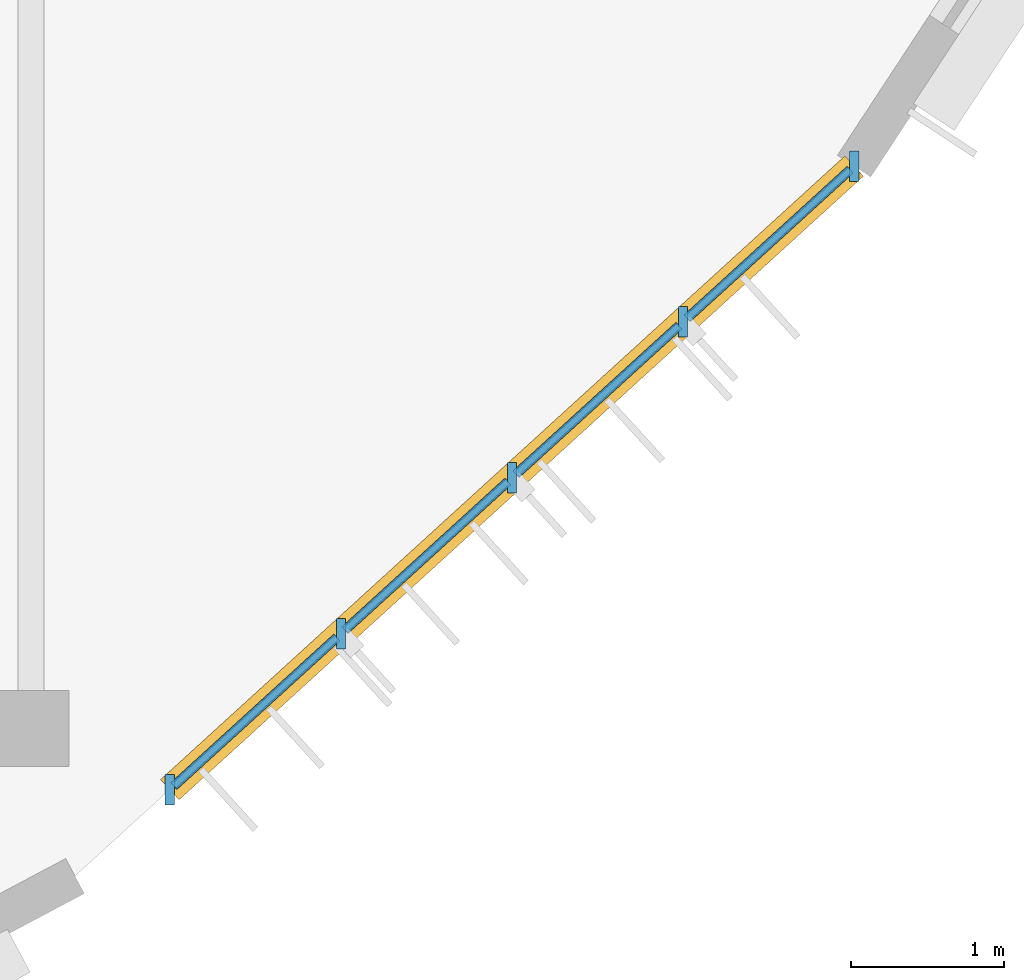
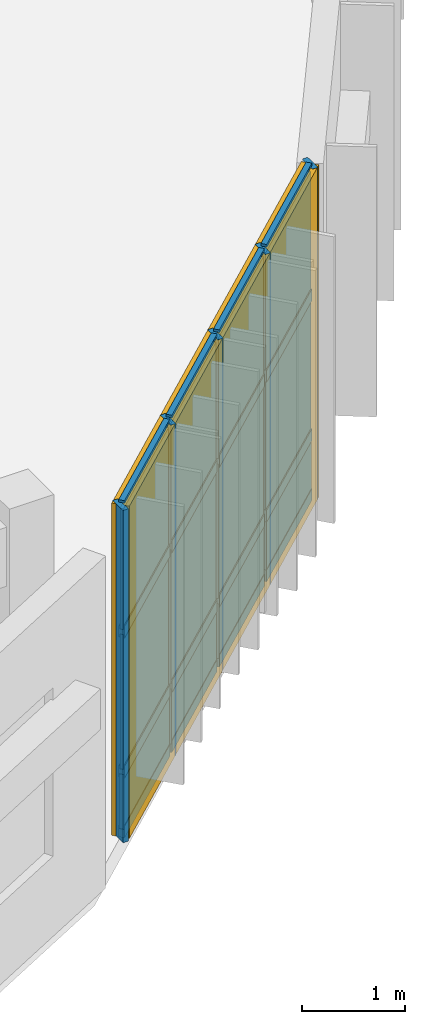
# One storey, part 99 of 122: 21 members, 12 plates, 1 curtain wall.
"""IFC4 building model written with IfcOpenShell, lengths in metres."""

from ifc_helpers import new_model, si_unit, direction, frame, frame_2d, origin, origin_2d, place, context, subcontext, project, spatial, rectangle, extrude, material, layer, layer_set, material_profile, profile_set, type_object, element, aggregate, save


model = new_model("IFC4")

# Units and contexts
model_context = context("Model", 3, precision=1e-05, world=origin(), true_north=direction((0.0, 1.0)))
body_context = subcontext(model_context, "Body", "Model", "MODEL_VIEW")
ifc_project = project(units=[si_unit("LENGTHUNIT", "METRE"), si_unit("AREAUNIT", "SQUARE_METRE"), si_unit("VOLUMEUNIT", "CUBIC_METRE"), si_unit("PLANEANGLEUNIT", "RADIAN"), si_unit("MASSUNIT", "GRAM", prefix="KILO")], contexts=[model_context])

# Member
ifc_material_1 = material(Name="Anodised Bronze Aluminium 6063-T6", Category="aluminium")
ifc_material_profile_1 = material_profile(ifc_material_1, rectangle(XDim=0.06005859375, YDim=0.199951171875, at=origin_2d()), Name="ALU MULLION 60x200")
ifc_profile_set_1 = profile_set([ifc_material_profile_1], Name="Anodised Bronze Aluminium 6063-T6")
member_type_1 = type_object("IfcMemberType", Name="Curtain-Wall Standard Mullion 60x200", PredefinedType="MULLION", material=ifc_profile_set_1)
site_placement = place(None, origin())
building_placement = place(site_placement, origin())
storey_placement = place(building_placement, frame((0.0, 0.0, 4.800048828125)))
member_1_placement = place(storey_placement, frame((151.510986328125, 22.598876953125, 0.0), z_axis=(0.0, 0.0, 1.0), x_axis=(1.0, 0.0, 0.0)))
member_1 = element("IfcMember", 1, at=member_1_placement, type_object=member_type_1, Name="Mullion CWM-03 CW-V4-DRUM-L01-S05-M01", PredefinedType="MULLION", context=body_context, shape_type="SweptSolid", body=[
    extrude(rectangle(XDim=0.06005859375, YDim=0.199951171875, at=origin_2d()), origin(), (0.0, 0.0, 1.0), 3.93994140625),
])

member_2_placement = place(storey_placement, frame((152.632568359375, 23.62109375, 0.0), z_axis=(0.0, 0.0, 1.0), x_axis=(1.0, 0.0, 0.0)))
member_2 = element("IfcMember", 2, at=member_2_placement, type_object=member_type_1, Name="Mullion CWM-03 CW-V4-DRUM-L01-S05-M02", PredefinedType="MULLION", context=body_context, shape_type="SweptSolid", body=[
    extrude(rectangle(XDim=0.06005859375, YDim=0.199951171875, at=origin_2d()), origin(), (0.0, 0.0, 1.0), 3.93994140625),
])

member_3_placement = place(storey_placement, frame((153.754150390625, 24.64306640625, 0.0), z_axis=(0.0, 0.0, 1.0), x_axis=(1.0, 0.0, 0.0)))
member_3 = element("IfcMember", 3, at=member_3_placement, type_object=member_type_1, Name="Mullion CWM-03 CW-V4-DRUM-L01-S05-M03", PredefinedType="MULLION", context=body_context, shape_type="SweptSolid", body=[
    extrude(rectangle(XDim=0.06005859375, YDim=0.199951171875, at=origin_2d()), origin(), (0.0, 0.0, 1.0), 3.93994140625),
])

member_4_placement = place(storey_placement, frame((154.875732421875, 25.665283203125, 0.0), z_axis=(0.0, 0.0, 1.0), x_axis=(1.0, 0.0, 0.0)))
member_4 = element("IfcMember", 4, at=member_4_placement, type_object=member_type_1, Name="Mullion CWM-03 CW-V4-DRUM-L01-S05-M04", PredefinedType="MULLION", context=body_context, shape_type="SweptSolid", body=[
    extrude(rectangle(XDim=0.06005859375, YDim=0.199951171875, at=origin_2d()), origin(), (0.0, 0.0, 1.0), 3.93994140625),
])

member_5_placement = place(storey_placement, frame((155.99755859375, 26.687255859375, 0.0), z_axis=(0.0, 0.0, 1.0), x_axis=(1.0, 0.0, 0.0)))
member_5 = element("IfcMember", 5, at=member_5_placement, type_object=member_type_1, Name="Mullion CWM-03 CW-V4-DRUM-L01-S05-M05", PredefinedType="MULLION", context=body_context, shape_type="SweptSolid", body=[
    extrude(rectangle(XDim=0.06005859375, YDim=0.199951171875, at=origin_2d()), origin(), (0.0, 0.0, 1.0), 3.93994140625),
])

ifc_material_profile_2 = material_profile(ifc_material_1, rectangle(XDim=0.06005859375, YDim=0.139892578125, at=origin_2d()), Name="ALU TRANSOM 60x140")
ifc_profile_set_2 = profile_set([ifc_material_profile_2], Name="Anodised Bronze Aluminium 6063-T6")
member_type_2 = type_object("IfcMemberType", Name="Curtain-Wall Transom 60x140", PredefinedType="USERDEFINED", material=ifc_profile_set_2)
member_6_placement = place(storey_placement, frame((151.536865234375, 22.62255859375, 0.0400390625), z_axis=(0.739153414906, 0.673537103085, 0.0), x_axis=(-0.673537103085, 0.739153414906, 0.0)))
member_6 = element("IfcMember", 6, at=member_6_placement, type_object=member_type_2, Name="Transom CWT-01 CW-V4-DRUM-L01-S05-T01.1", ObjectType="TRANSOM", PredefinedType="USERDEFINED", context=body_context, shape_type="SweptSolid", body=[
    extrude(rectangle(XDim=0.06005859375, YDim=0.139892578125, at=origin_2d()), origin(), (0.0, 0.0, 1.0), 1.447265625),
])

member_7_placement = place(storey_placement, frame((151.536865234375, 22.62255859375, 0.75), z_axis=(0.739153414906, 0.673537103085, 0.0), x_axis=(-0.673537103085, 0.739153414906, 0.0)))
member_7 = element("IfcMember", 7, at=member_7_placement, type_object=member_type_2, Name="Transom CWT-01 CW-V4-DRUM-L01-S05-T01.2", ObjectType="TRANSOM", PredefinedType="USERDEFINED", context=body_context, shape_type="SweptSolid", body=[
    extrude(rectangle(XDim=0.06005859375, YDim=0.139892578125, at=origin_2d()), origin(), (0.0, 0.0, 1.0), 1.447265625),
])

member_8_placement = place(storey_placement, frame((151.536865234375, 22.62255859375, 2.40869140625), z_axis=(0.739153414906, 0.673537103085, 0.0), x_axis=(-0.673537103085, 0.739153414906, 0.0)))
member_8 = element("IfcMember", 8, at=member_8_placement, type_object=member_type_2, Name="Transom CWT-01 CW-V4-DRUM-L01-S05-T01.3", ObjectType="TRANSOM", PredefinedType="USERDEFINED", context=body_context, shape_type="SweptSolid", body=[
    extrude(rectangle(XDim=0.06005859375, YDim=0.139892578125, at=origin_2d()), origin(), (0.0, 0.0, 1.0), 1.447265625),
])

member_9_placement = place(storey_placement, frame((151.536865234375, 22.62255859375, 3.89990234375), z_axis=(0.739153414906, 0.673537103085, 0.0), x_axis=(-0.673537103085, 0.739153414906, 0.0)))
member_9 = element("IfcMember", 9, at=member_9_placement, type_object=member_type_2, Name="Transom CWT-01 CW-V4-DRUM-L01-S05-T01.4", ObjectType="TRANSOM", PredefinedType="USERDEFINED", context=body_context, shape_type="SweptSolid", body=[
    extrude(rectangle(XDim=0.06005859375, YDim=0.139892578125, at=origin_2d()), origin(), (0.0, 0.0, 1.0), 1.447265625),
])

member_10_placement = place(storey_placement, frame((152.658447265625, 23.64453125, 0.0400390625), z_axis=(0.739153414906, 0.673537103085, 0.0), x_axis=(-0.673537103085, 0.739153414906, 0.0)))
member_10 = element("IfcMember", 10, at=member_10_placement, type_object=member_type_2, Name="Transom CWT-01 CW-V4-DRUM-L01-S05-T02.1", ObjectType="TRANSOM", PredefinedType="USERDEFINED", context=body_context, shape_type="SweptSolid", body=[
    extrude(rectangle(XDim=0.06005859375, YDim=0.139892578125, at=origin_2d()), origin(), (0.0, 0.0, 1.0), 1.447265625),
])

member_11_placement = place(storey_placement, frame((152.658447265625, 23.64453125, 0.75), z_axis=(0.739153414906, 0.673537103085, 0.0), x_axis=(-0.673537103085, 0.739153414906, 0.0)))
member_11 = element("IfcMember", 11, at=member_11_placement, type_object=member_type_2, Name="Transom CWT-01 CW-V4-DRUM-L01-S05-T02.2", ObjectType="TRANSOM", PredefinedType="USERDEFINED", context=body_context, shape_type="SweptSolid", body=[
    extrude(rectangle(XDim=0.06005859375, YDim=0.139892578125, at=origin_2d()), origin(), (0.0, 0.0, 1.0), 1.447265625),
])

member_12_placement = place(storey_placement, frame((152.658447265625, 23.64453125, 2.40869140625), z_axis=(0.739153414906, 0.673537103085, 0.0), x_axis=(-0.673537103085, 0.739153414906, 0.0)))
member_12 = element("IfcMember", 12, at=member_12_placement, type_object=member_type_2, Name="Transom CWT-01 CW-V4-DRUM-L01-S05-T02.3", ObjectType="TRANSOM", PredefinedType="USERDEFINED", context=body_context, shape_type="SweptSolid", body=[
    extrude(rectangle(XDim=0.06005859375, YDim=0.139892578125, at=origin_2d()), origin(), (0.0, 0.0, 1.0), 1.447265625),
])

member_13_placement = place(storey_placement, frame((152.658447265625, 23.64453125, 3.89990234375), z_axis=(0.739153414906, 0.673537103085, 0.0), x_axis=(-0.673537103085, 0.739153414906, 0.0)))
member_13 = element("IfcMember", 13, at=member_13_placement, type_object=member_type_2, Name="Transom CWT-01 CW-V4-DRUM-L01-S05-T02.4", ObjectType="TRANSOM", PredefinedType="USERDEFINED", context=body_context, shape_type="SweptSolid", body=[
    extrude(rectangle(XDim=0.06005859375, YDim=0.139892578125, at=origin_2d()), origin(), (0.0, 0.0, 1.0), 1.447265625),
])

member_14_placement = place(storey_placement, frame((153.780029296875, 24.666748046875, 0.0400390625), z_axis=(0.739229922412, 0.673453132601, 0.0), x_axis=(-0.673453132601, 0.739229922412, 0.0)))
member_14 = element("IfcMember", 14, at=member_14_placement, type_object=member_type_2, Name="Transom CWT-01 CW-V4-DRUM-L01-S05-T03.1", ObjectType="TRANSOM", PredefinedType="USERDEFINED", context=body_context, shape_type="SweptSolid", body=[
    extrude(rectangle(XDim=0.06005859375, YDim=0.139892578125, at=origin_2d()), origin(), (0.0, 0.0, 1.0), 1.447509765625),
])

member_15_placement = place(storey_placement, frame((153.780029296875, 24.666748046875, 0.75), z_axis=(0.739229922412, 0.673453132601, 0.0), x_axis=(-0.673453132601, 0.739229922412, 0.0)))
member_15 = element("IfcMember", 15, at=member_15_placement, type_object=member_type_2, Name="Transom CWT-01 CW-V4-DRUM-L01-S05-T03.2", ObjectType="TRANSOM", PredefinedType="USERDEFINED", context=body_context, shape_type="SweptSolid", body=[
    extrude(rectangle(XDim=0.06005859375, YDim=0.139892578125, at=origin_2d()), origin(), (0.0, 0.0, 1.0), 1.447509765625),
])

member_16_placement = place(storey_placement, frame((153.780029296875, 24.666748046875, 2.40869140625), z_axis=(0.739229922412, 0.673453132601, 0.0), x_axis=(-0.673453132601, 0.739229922412, 0.0)))
member_16 = element("IfcMember", 16, at=member_16_placement, type_object=member_type_2, Name="Transom CWT-01 CW-V4-DRUM-L01-S05-T03.3", ObjectType="TRANSOM", PredefinedType="USERDEFINED", context=body_context, shape_type="SweptSolid", body=[
    extrude(rectangle(XDim=0.06005859375, YDim=0.139892578125, at=origin_2d()), origin(), (0.0, 0.0, 1.0), 1.447509765625),
])

member_17_placement = place(storey_placement, frame((153.780029296875, 24.666748046875, 3.89990234375), z_axis=(0.739229922412, 0.673453132601, 0.0), x_axis=(-0.673453132601, 0.739229922412, 0.0)))
member_17 = element("IfcMember", 17, at=member_17_placement, type_object=member_type_2, Name="Transom CWT-01 CW-V4-DRUM-L01-S05-T03.4", ObjectType="TRANSOM", PredefinedType="USERDEFINED", context=body_context, shape_type="SweptSolid", body=[
    extrude(rectangle(XDim=0.06005859375, YDim=0.139892578125, at=origin_2d()), origin(), (0.0, 0.0, 1.0), 1.447509765625),
])

member_18_placement = place(storey_placement, frame((154.901611328125, 25.688720703125, 0.0400390625), z_axis=(0.739145961844, 0.673545282137, 0.0), x_axis=(-0.673545282137, 0.739145961844, 0.0)))
member_18 = element("IfcMember", 18, at=member_18_placement, type_object=member_type_2, Name="Transom CWT-01 CW-V4-DRUM-L01-S05-T04.1", ObjectType="TRANSOM", PredefinedType="USERDEFINED", context=body_context, shape_type="SweptSolid", body=[
    extrude(rectangle(XDim=0.06005859375, YDim=0.139892578125, at=origin_2d()), origin(), (0.0, 0.0, 1.0), 1.44775390625),
])

member_19_placement = place(storey_placement, frame((154.901611328125, 25.688720703125, 0.75), z_axis=(0.739145961844, 0.673545282137, 0.0), x_axis=(-0.673545282137, 0.739145961844, 0.0)))
member_19 = element("IfcMember", 19, at=member_19_placement, type_object=member_type_2, Name="Transom CWT-01 CW-V4-DRUM-L01-S05-T04.2", ObjectType="TRANSOM", PredefinedType="USERDEFINED", context=body_context, shape_type="SweptSolid", body=[
    extrude(rectangle(XDim=0.06005859375, YDim=0.139892578125, at=origin_2d()), origin(), (0.0, 0.0, 1.0), 1.44775390625),
])

member_20_placement = place(storey_placement, frame((154.901611328125, 25.688720703125, 2.40869140625), z_axis=(0.739145961844, 0.673545282137, 0.0), x_axis=(-0.673545282137, 0.739145961844, 0.0)))
member_20 = element("IfcMember", 20, at=member_20_placement, type_object=member_type_2, Name="Transom CWT-01 CW-V4-DRUM-L01-S05-T04.3", ObjectType="TRANSOM", PredefinedType="USERDEFINED", context=body_context, shape_type="SweptSolid", body=[
    extrude(rectangle(XDim=0.06005859375, YDim=0.139892578125, at=origin_2d()), origin(), (0.0, 0.0, 1.0), 1.44775390625),
])

member_21_placement = place(storey_placement, frame((154.901611328125, 25.688720703125, 3.89990234375), z_axis=(0.739145961844, 0.673545282137, 0.0), x_axis=(-0.673545282137, 0.739145961844, 0.0)))
member_21 = element("IfcMember", 21, at=member_21_placement, type_object=member_type_2, Name="Transom CWT-01 CW-V4-DRUM-L01-S05-T04.4", ObjectType="TRANSOM", PredefinedType="USERDEFINED", context=body_context, shape_type="SweptSolid", body=[
    extrude(rectangle(XDim=0.06005859375, YDim=0.139892578125, at=origin_2d()), origin(), (0.0, 0.0, 1.0), 1.44775390625),
])

# Plate
ifc_material_2 = material(Name="Insulated Bronze Aluminium Spandrel Panel", Category="aluminium")
ifc_layer_1 = layer(ifc_material_2, 0.050048828125, Name="Insulated Bronze Aluminium Spandrel Panel")
ifc_layer_set_1 = layer_set([ifc_layer_1], Name="Insulated Bronze Aluminium Spandrel Panel")
plate_type_1 = type_object("IfcPlateType", Name="Insulated Anodised Aluminium Spandrel Cassette 50", PredefinedType="CURTAIN_PANEL", material=ifc_layer_set_1)
plate_1_placement = place(storey_placement, frame((152.07177734375, 23.110107421875, 0.070068359375), z_axis=(0.0, 0.0, 1.0), x_axis=(0.739146956888, 0.673544190178, 0.0)))
plate_1 = element("IfcPlate", 22, at=plate_1_placement, type_object=plate_type_1, Name="Curtain Panel CWP-03 CW-V4-DRUM-L01-S05-P01.1", PredefinedType="CURTAIN_PANEL", context=body_context, shape_type="SweptSolid", body=[
    extrude(rectangle(XDim=1.447509765625, YDim=0.050048828125, at=origin_2d()), origin(), (0.0, 0.0, 1.0), 0.64990234375),
])

plate_2_placement = place(storey_placement, frame((153.193359375, 24.132080078125, 0.070068359375), z_axis=(0.0, 0.0, 1.0), x_axis=(0.739146956888, 0.673544190178, 0.0)))
plate_2 = element("IfcPlate", 23, at=plate_2_placement, type_object=plate_type_1, Name="Curtain Panel CWP-03 CW-V4-DRUM-L01-S05-P02.1", PredefinedType="CURTAIN_PANEL", context=body_context, shape_type="SweptSolid", body=[
    extrude(rectangle(XDim=1.447509765625, YDim=0.050048828125, at=origin_2d()), origin(), (0.0, 0.0, 1.0), 0.64990234375),
])

plate_3_placement = place(storey_placement, frame((154.31494140625, 25.154296875, 0.070068359375), z_axis=(0.0, 0.0, 1.0), x_axis=(0.739146956888, 0.673544190178, 0.0)))
plate_3 = element("IfcPlate", 24, at=plate_3_placement, type_object=plate_type_1, Name="Curtain Panel CWP-03 CW-V4-DRUM-L01-S05-P03.1", PredefinedType="CURTAIN_PANEL", context=body_context, shape_type="SweptSolid", body=[
    extrude(rectangle(XDim=1.447509765625, YDim=0.050048828125, at=origin_2d()), origin(), (0.0, 0.0, 1.0), 0.64990234375),
])

plate_4_placement = place(storey_placement, frame((155.436767578125, 26.17626953125, 0.070068359375), z_axis=(0.0, 0.0, 1.0), x_axis=(0.739146956888, 0.673544190178, 0.0)))
plate_4 = element("IfcPlate", 25, at=plate_4_placement, type_object=plate_type_1, Name="Curtain Panel CWP-03 CW-V4-DRUM-L01-S05-P04.1", PredefinedType="CURTAIN_PANEL", context=body_context, shape_type="SweptSolid", body=[
    extrude(rectangle(XDim=1.447509765625, YDim=0.050048828125, at=origin_2d()), origin(), (0.0, 0.0, 1.0), 0.64990234375),
])

ifc_material_3 = material(Name="Solar-Control Tempered Double Glazing", Category="glass")
ifc_layer_2 = layer(ifc_material_3, 0.0380859375, Name="Solar-Control Tempered Double Glazing")
ifc_layer_set_2 = layer_set([ifc_layer_2], Name="Solar-Control Tempered Double Glazing")
plate_type_2 = type_object("IfcPlateType", Name="Solar-Control Vision Glazing Unit 38", PredefinedType="CURTAIN_PANEL", material=ifc_layer_set_2)
plate_5_placement = place(storey_placement, frame((152.07177734375, 23.110107421875, 0.77978515625), z_axis=(0.0, 0.0, 1.0), x_axis=(0.739146956888, 0.673544190178, 0.0)))
plate_5 = element("IfcPlate", 26, at=plate_5_placement, type_object=plate_type_2, Name="Curtain Panel CWP-02 CW-V4-DRUM-L01-S05-P01.2", PredefinedType="CURTAIN_PANEL", context=body_context, shape_type="SweptSolid", body=[
    extrude(rectangle(XDim=1.447509765625, YDim=0.0380859375, at=origin_2d()), origin(), (0.0, 0.0, 1.0), 1.598876953125),
])

plate_6_placement = place(storey_placement, frame((152.07177734375, 23.110107421875, 2.438720703125), z_axis=(0.0, 0.0, 1.0), x_axis=(0.739146956888, 0.673544190178, 0.0)))
plate_6 = element("IfcPlate", 27, at=plate_6_placement, type_object=plate_type_2, Name="Curtain Panel CWP-02 CW-V4-DRUM-L01-S05-P01.3", PredefinedType="CURTAIN_PANEL", context=body_context, shape_type="SweptSolid", body=[
    extrude(rectangle(XDim=1.447509765625, YDim=0.0380859375, at=origin_2d()), origin(), (0.0, 0.0, 1.0), 1.43115234375),
])

plate_7_placement = place(storey_placement, frame((153.193359375, 24.132080078125, 0.77978515625), z_axis=(0.0, 0.0, 1.0), x_axis=(0.739146956888, 0.673544190178, 0.0)))
plate_7 = element("IfcPlate", 28, at=plate_7_placement, type_object=plate_type_2, Name="Curtain Panel CWP-02 CW-V4-DRUM-L01-S05-P02.2", PredefinedType="CURTAIN_PANEL", context=body_context, shape_type="SweptSolid", body=[
    extrude(rectangle(XDim=1.447509765625, YDim=0.0380859375, at=origin_2d()), origin(), (0.0, 0.0, 1.0), 1.598876953125),
])

plate_8_placement = place(storey_placement, frame((153.193359375, 24.132080078125, 2.438720703125), z_axis=(0.0, 0.0, 1.0), x_axis=(0.739146956888, 0.673544190178, 0.0)))
plate_8 = element("IfcPlate", 29, at=plate_8_placement, type_object=plate_type_2, Name="Curtain Panel CWP-02 CW-V4-DRUM-L01-S05-P02.3", PredefinedType="CURTAIN_PANEL", context=body_context, shape_type="SweptSolid", body=[
    extrude(rectangle(XDim=1.447509765625, YDim=0.0380859375, at=origin_2d()), origin(), (0.0, 0.0, 1.0), 1.43115234375),
])

plate_9_placement = place(storey_placement, frame((154.31494140625, 25.154296875, 0.77978515625), z_axis=(0.0, 0.0, 1.0), x_axis=(0.739146956888, 0.673544190178, 0.0)))
plate_9 = element("IfcPlate", 30, at=plate_9_placement, type_object=plate_type_2, Name="Curtain Panel CWP-02 CW-V4-DRUM-L01-S05-P03.2", PredefinedType="CURTAIN_PANEL", context=body_context, shape_type="SweptSolid", body=[
    extrude(rectangle(XDim=1.447509765625, YDim=0.0380859375, at=origin_2d()), origin(), (0.0, 0.0, 1.0), 1.598876953125),
])

plate_10_placement = place(storey_placement, frame((154.31494140625, 25.154296875, 2.438720703125), z_axis=(0.0, 0.0, 1.0), x_axis=(0.739146956888, 0.673544190178, 0.0)))
plate_10 = element("IfcPlate", 31, at=plate_10_placement, type_object=plate_type_2, Name="Curtain Panel CWP-02 CW-V4-DRUM-L01-S05-P03.3", PredefinedType="CURTAIN_PANEL", context=body_context, shape_type="SweptSolid", body=[
    extrude(rectangle(XDim=1.447509765625, YDim=0.0380859375, at=origin_2d()), origin(), (0.0, 0.0, 1.0), 1.43115234375),
])

plate_11_placement = place(storey_placement, frame((155.436767578125, 26.17626953125, 0.77978515625), z_axis=(0.0, 0.0, 1.0), x_axis=(0.739146956888, 0.673544190178, 0.0)))
plate_11 = element("IfcPlate", 32, at=plate_11_placement, type_object=plate_type_2, Name="Curtain Panel CWP-02 CW-V4-DRUM-L01-S05-P04.2", PredefinedType="CURTAIN_PANEL", context=body_context, shape_type="SweptSolid", body=[
    extrude(rectangle(XDim=1.447509765625, YDim=0.0380859375, at=origin_2d()), origin(), (0.0, 0.0, 1.0), 1.598876953125),
])

plate_12_placement = place(storey_placement, frame((155.436767578125, 26.17626953125, 2.438720703125), z_axis=(0.0, 0.0, 1.0), x_axis=(0.739146956888, 0.673544190178, 0.0)))
plate_12 = element("IfcPlate", 33, at=plate_12_placement, type_object=plate_type_2, Name="Curtain Panel CWP-02 CW-V4-DRUM-L01-S05-P04.3", PredefinedType="CURTAIN_PANEL", context=body_context, shape_type="SweptSolid", body=[
    extrude(rectangle(XDim=1.447509765625, YDim=0.0380859375, at=origin_2d()), origin(), (0.0, 0.0, 1.0), 1.43115234375),
])

# Site, building, storey
site = spatial("IfcSite", under=ifc_project, at=site_placement, CompositionType="ELEMENT")
building = spatial("IfcBuilding", under=site, at=building_placement, Name="Tazoul Stagehouse", CompositionType="ELEMENT")
storey = spatial("IfcBuildingStorey", under=building, at=storey_placement, Name="L01", CompositionType="ELEMENT", Elevation=4.800048828125)

# Curtain wall
curtain_wall_type = type_object("IfcCurtainWallType", Name="Studio Drum Faceted Curtain Wall", PredefinedType="NOTDEFINED", material=ifc_material_1)
curtain_wall_placement = place(storey_placement, frame((151.510986328125, 22.598876953125, 0.0), z_axis=(0.0, 0.0, 1.0), x_axis=(0.739146053216, 0.673545181866, 0.0)))
curtain_wall = element("IfcCurtainWall", 34, at=curtain_wall_placement, inside=storey, type_object=curtain_wall_type, Name="L01 Curtain Wall CW-03 (CW-V4-DRUM-L01-S05)", PredefinedType="NOTDEFINED", context=body_context, shape_type="SweptSolid", body=[
    extrude(rectangle(XDim=6.06982421875, YDim=0.179931640625, at=frame_2d((3.034912109375, 0.0))), origin(), (0.0, 0.0, 1.0), 3.93994140625),
])

aggregate(curtain_wall, [member_1, member_2, member_3, member_4, member_5, member_6, member_7, member_8, member_9, plate_1, plate_5, plate_6, member_10, member_11, member_12, member_13, plate_2, plate_7, plate_8, member_14, member_15, member_16, member_17, plate_3, plate_9, plate_10, member_18, member_19, member_20, member_21, plate_4, plate_11, plate_12])

save(model, "model.ifc")
